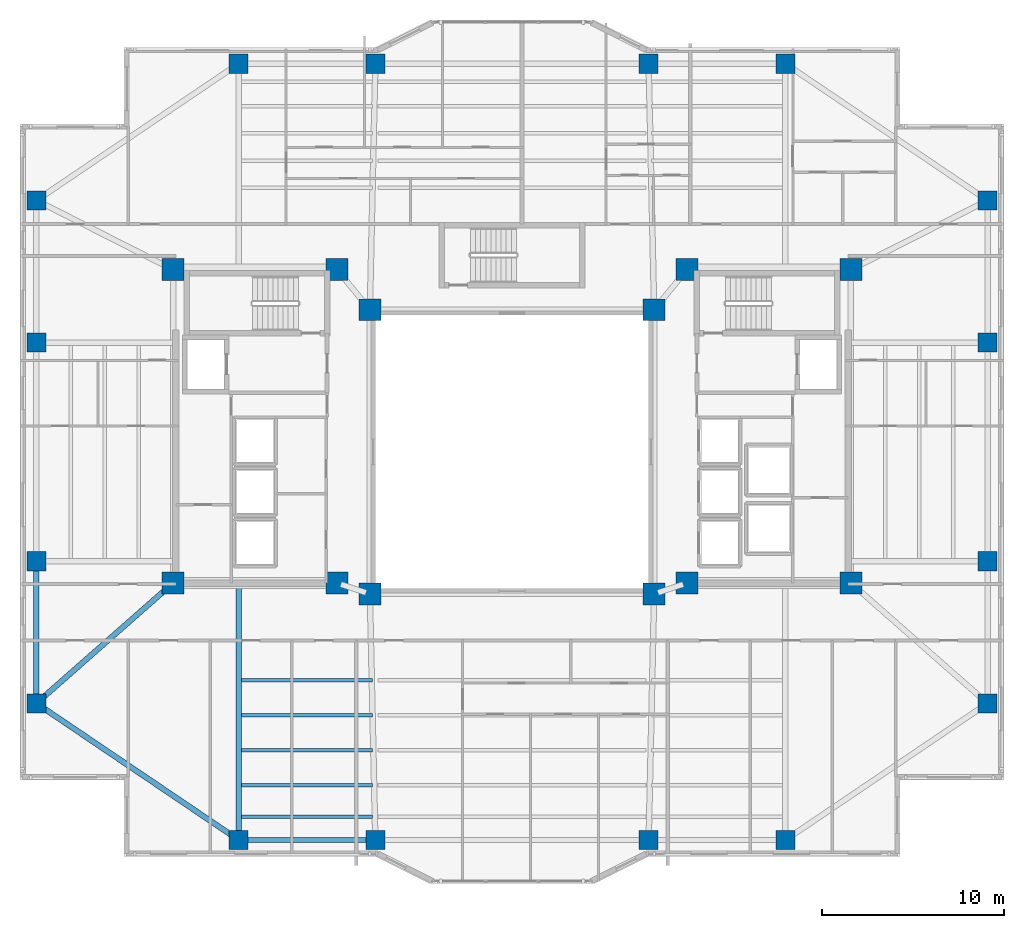
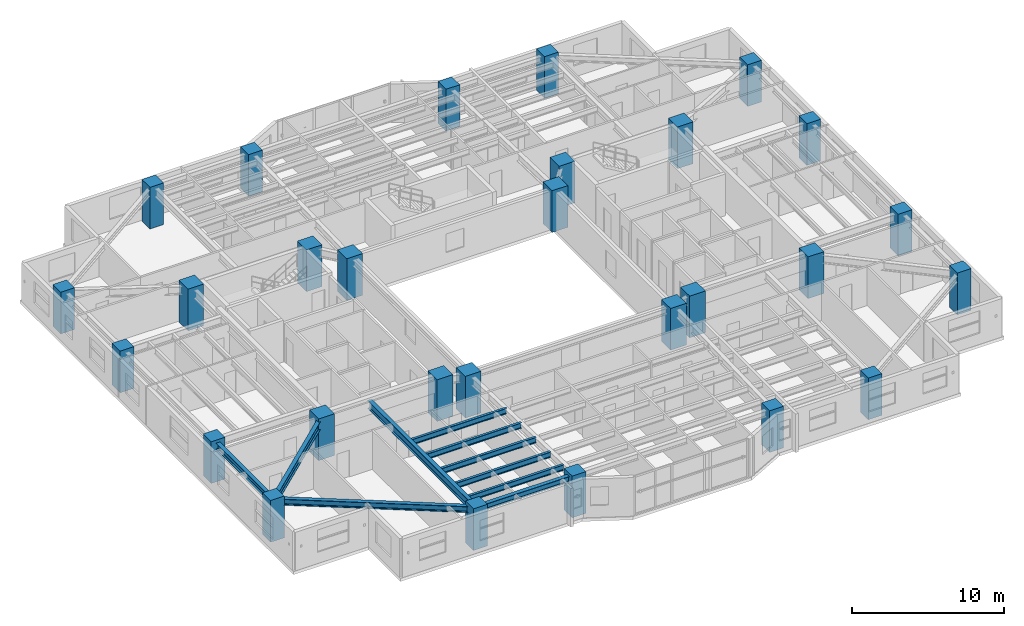
# One storey, part 1 of 18: 28 columns, 10 beams.
"""IFC4 building model written with IfcOpenShell, lengths in metres."""

from ifc_helpers import new_model, si_unit, direction, frame, origin, origin_2d, place, context, subcontext, project, spatial, rectangle, i_section, extrude, material, material_profile, profile_set, type_object, element, save


model = new_model("IFC4")

# Units and contexts
model_context = context("Model", 3, precision=1e-05, world=origin(), true_north=direction((0.0, 1.0)))
body_context = subcontext(model_context, "Body", "Model", "MODEL_VIEW")
ifc_project = project(units=[si_unit("LENGTHUNIT", "METRE"), si_unit("AREAUNIT", "SQUARE_METRE"), si_unit("VOLUMEUNIT", "CUBIC_METRE"), si_unit("PLANEANGLEUNIT", "RADIAN"), si_unit("MASSUNIT", "GRAM", prefix="KILO")], contexts=[model_context])

# Site, building, storey
site_placement = place(None, origin())
site = spatial("IfcSite", under=ifc_project, at=site_placement, CompositionType="ELEMENT")
building_placement = place(site_placement, origin())
building = spatial("IfcBuilding", under=site, at=building_placement, Name="Tarnavaz Court Tower", CompositionType="ELEMENT")
storey_placement = place(building_placement, frame((0.0, 0.0, 91.699951171875)))
storey = spatial("IfcBuildingStorey", under=building, at=storey_placement, Name="L24", CompositionType="ELEMENT", Elevation=91.699951171875)

# Columns
ifc_material_1 = material(Name="Concrete C60/75", Category="concrete")
ifc_material_profile_1 = material_profile(ifc_material_1, rectangle(XDim=1.050048828125, YDim=1.050048828125, at=origin_2d()), Name="RC 1050X1050")
ifc_profile_set_1 = profile_set([ifc_material_profile_1], Name="Concrete C60/75")
column_type_1 = type_object("IfcColumnType", Name="CL-RC1050", PredefinedType="COLUMN", material=ifc_profile_set_1)
for number, where, z_axis, x_axis, name in (
    (1, (-15.0, 21.300048828125, 0.0), (0.0, 0.0, 1.0), (1.0, 0.0, 0.0), "L24 Column PN-1"),
    (2, (-7.5, 21.300048828125, 0.0), (0.0, 0.0, 1.0), (1.0, 0.0, 0.0), "L24 Column PN-2"),
    (3, (7.5, 21.300048828125, 0.0), (0.0, 0.0, 1.0), (1.0, 0.0, 0.0), "L24 Column PN-3"),
    (4, (15.0, 21.300048828125, 0.0), (0.0, 0.0, 1.0), (1.0, 0.0, 0.0), "L24 Column PN-4"),
    (5, (-15.0, -21.300048828125, 0.0), (0.0, 0.0, 1.0), (1.0, 0.0, 0.0), "L24 Column PS-1"),
    (6, (-7.5, -21.300048828125, 0.0), (0.0, 0.0, 1.0), (1.0, 0.0, 0.0), "L24 Column PS-2"),
    (7, (7.5, -21.300048828125, 0.0), (0.0, 0.0, 1.0), (1.0, 0.0, 0.0), "L24 Column PS-3"),
    (8, (15.0, -21.300048828125, 0.0), (0.0, 0.0, 1.0), (1.0, 0.0, 0.0), "L24 Column PS-4"),
    (9, (26.10009765625, -13.800048828125, 0.0), (0.0, 0.0, 1.0), (1.0, 0.0, 0.0), "L24 Column PE-1"),
    (10, (26.10009765625, -6.0, 0.0), (0.0, 0.0, 1.0), (1.0, 0.0, 0.0), "L24 Column PE-2"),
    (11, (26.10009765625, 6.0, 0.0), (0.0, 0.0, 1.0), (1.0, 0.0, 0.0), "L24 Column PE-3"),
    (12, (26.10009765625, 13.800048828125, 0.0), (0.0, 0.0, 1.0), (1.0, 0.0, 0.0), "L24 Column PE-4"),
    (13, (-26.10009765625, -13.800048828125, 0.0), (0.0, 0.0, 1.0), (1.0, 0.0, 0.0), "L24 Column PW-1"),
    (14, (-26.10009765625, -6.0, 0.0), (0.0, 0.0, 1.0), (1.0, 0.0, 0.0), "L24 Column PW-2"),
    (15, (-26.10009765625, 6.0, 0.0), (0.0, 0.0, 1.0), (1.0, 0.0, 0.0), "L24 Column PW-3"),
    (16, (-26.10009765625, 13.800048828125, 0.0), (0.0, 0.0, 1.0), (1.0, 0.0, 0.0), "L24 Column PW-4"),
):
    element("IfcColumn", number, at=place(storey_placement, frame(where, z_axis=z_axis, x_axis=x_axis)), inside=storey, type_object=column_type_1, Name=name, PredefinedType="COLUMN", context=body_context, shape_type="SweptSolid", body=[
        extrude(rectangle(XDim=1.050048828125, YDim=1.050048828125, at=origin_2d()), origin(), (0.0, 0.0, 1.0), 3.35009765625),
    ])
ifc_material_profile_2 = material_profile(ifc_material_1, rectangle(XDim=1.199951171875, YDim=1.199951171875, at=origin_2d()), Name="RC 1200X1200")
ifc_profile_set_2 = profile_set([ifc_material_profile_2], Name="Concrete C60/75")
column_type_2 = type_object("IfcColumnType", Name="CL-RC1200", PredefinedType="COLUMN", material=ifc_profile_set_2)
for number, where, z_axis, x_axis, name in (
    (17, (-7.800048828125, -7.800048828125, 0.0), (0.0, 0.0, 1.0), (1.0, 0.0, 0.0), "L24 Column IW-SW"),
    (18, (7.800048828125, -7.800048828125, 0.0), (0.0, 0.0, 1.0), (1.0, 0.0, 0.0), "L24 Column IW-SE"),
    (19, (-7.800048828125, 7.800048828125, 0.0), (0.0, 0.0, 1.0), (1.0, 0.0, 0.0), "L24 Column IW-NW"),
    (20, (7.800048828125, 7.800048828125, 0.0), (0.0, 0.0, 1.0), (1.0, 0.0, 0.0), "L24 Column IW-NE"),
    (21, (-9.60009765625, -7.199951171875, 0.0), (0.0, 0.0, 1.0), (1.0, 0.0, 0.0), "L24 Column CW-SI"),
    (22, (-9.60009765625, 10.0, 0.0), (0.0, 0.0, 1.0), (1.0, 0.0, 0.0), "L24 Column CW-NI"),
    (23, (9.60009765625, -7.199951171875, 0.0), (0.0, 0.0, 1.0), (1.0, 0.0, 0.0), "L24 Column CE-SI"),
    (24, (9.60009765625, 10.0, 0.0), (0.0, 0.0, 1.0), (1.0, 0.0, 0.0), "L24 Column CE-NI"),
    (25, (-18.60009765625, -7.199951171875, 0.0), (0.0, 0.0, 1.0), (1.0, 0.0, 0.0), "L24 Column CW-SO"),
    (26, (-18.60009765625, 10.0, 0.0), (0.0, 0.0, 1.0), (1.0, 0.0, 0.0), "L24 Column CW-NO"),
    (27, (18.60009765625, -7.199951171875, 0.0), (0.0, 0.0, 1.0), (1.0, 0.0, 0.0), "L24 Column CE-SO"),
    (28, (18.60009765625, 10.0, 0.0), (0.0, 0.0, 1.0), (1.0, 0.0, 0.0), "L24 Column CE-NO"),
):
    element("IfcColumn", number, at=place(storey_placement, frame(where, z_axis=z_axis, x_axis=x_axis)), inside=storey, type_object=column_type_2, Name=name, PredefinedType="COLUMN", context=body_context, shape_type="SweptSolid", body=[
        extrude(rectangle(XDim=1.199951171875, YDim=1.199951171875, at=origin_2d()), origin(), (0.0, 0.0, 1.0), 3.35009765625),
    ])

# Beams
ifc_material_2 = material(Name="Steel S355", Category="steel")
ifc_material_profile_3 = material_profile(ifc_material_2, i_section(OverallWidth=0.300048828125, OverallDepth=0.64990234375, WebThickness=0.01611328125, FlangeThickness=0.031005859375, FilletRadius=0.027099609375, at=origin_2d()), Name="HEB 650")
ifc_profile_set_3 = profile_set([ifc_material_profile_3], Name="Steel S355")
beam_type_1 = type_object("IfcBeamType", Name="BM-G-HEB650", PredefinedType="USERDEFINED", material=ifc_profile_set_3)
beam_1_placement = place(storey_placement, frame((-15.0, -7.239990234375, 2.775146484375), z_axis=(0.0, -1.0, 0.0), x_axis=(1.0, 0.0, 0.0)))
element("IfcBeam", 29, at=beam_1_placement, inside=storey, type_object=beam_type_1, Name="L24 Beam RG-05", ObjectType="GIRDER", PredefinedType="USERDEFINED", context=body_context, shape_type="SweptSolid", body=[
    extrude(i_section(OverallWidth=0.300048828125, OverallDepth=0.64990234375, WebThickness=0.01611328125, FlangeThickness=0.031005859375, FilletRadius=0.027099609375, at=origin_2d()), origin(), (0.0, 0.0, 1.0), 13.840087890625),
])
beam_2_placement = place(storey_placement, frame((-18.76513671875, -7.34521484375, 2.775146484375), z_axis=(-0.750700332035, -0.660642877417, 0.0), x_axis=(0.660642877417, -0.750700332035, 0.0)))
element("IfcBeam", 30, at=beam_2_placement, inside=storey, type_object=beam_type_1, Name="L24 Beam RG-15", ObjectType="GIRDER", PredefinedType="USERDEFINED", context=body_context, shape_type="SweptSolid", body=[
    extrude(i_section(OverallWidth=0.300048828125, OverallDepth=0.64990234375, WebThickness=0.01611328125, FlangeThickness=0.031005859375, FilletRadius=0.027099609375, at=origin_2d()), origin(), (0.0, 0.0, 1.0), 9.550537109375),
])
ifc_material_profile_4 = material_profile(ifc_material_2, i_section(OverallWidth=0.18994140625, OverallDepth=0.449951171875, WebThickness=0.009521484375, FlangeThickness=0.0146484375, FilletRadius=0.02099609375, at=origin_2d()), Name="IPE 450")
ifc_profile_set_4 = profile_set([ifc_material_profile_4], Name="Steel S355")
beam_type_2 = type_object("IfcBeamType", Name="BM-J-IPE450", PredefinedType="JOIST", material=ifc_profile_set_4)
for number, where, z_axis, x_axis, name in (
    (31, (-14.85009765625, -12.52587890625, 2.875), (1.0, 0.0, 0.0), (0.0, 1.0, 0.0), "L24 Beam JS1-1"),
    (32, (-14.85009765625, -14.451904296875, 2.875), (1.0, 0.0, 0.0), (0.0, 1.0, 0.0), "L24 Beam JS2-1"),
    (33, (-14.85009765625, -16.3779296875, 2.875), (1.0, 0.0, 0.0), (0.0, 1.0, 0.0), "L24 Beam JS3-1"),
    (34, (-14.85009765625, -18.303955078125, 2.875), (1.0, 0.0, 0.0), (0.0, 1.0, 0.0), "L24 Beam JS4-1"),
    (35, (-14.85009765625, -20.01611328125, 2.875), (1.0, 0.0, 0.0), (0.0, 1.0, 0.0), "L24 Beam JS5-1"),
):
    element("IfcBeam", number, at=place(storey_placement, frame(where, z_axis=z_axis, x_axis=x_axis)), inside=storey, type_object=beam_type_2, Name=name, PredefinedType="JOIST", context=body_context, shape_type="SweptSolid", body=[
        extrude(i_section(OverallWidth=0.18994140625, OverallDepth=0.449951171875, WebThickness=0.009521484375, FlangeThickness=0.0146484375, FilletRadius=0.02099609375, at=origin_2d()), origin(), (0.0, 0.0, 1.0), 7.2001953125),
    ])
ifc_material_profile_5 = material_profile(ifc_material_2, i_section(OverallWidth=0.300048828125, OverallDepth=0.489990234375, WebThickness=0.011962890625, FlangeThickness=0.02294921875, FilletRadius=0.027099609375, at=origin_2d()), Name="HEA 500")
ifc_profile_set_5 = profile_set([ifc_material_profile_5], Name="Steel S355")
beam_type_3 = type_object("IfcBeamType", Name="BM-SP-HEA500", PredefinedType="SPANDREL", material=ifc_profile_set_5)
beam_3_placement = place(storey_placement, frame((-14.780029296875, -21.300048828125, 2.85498046875), z_axis=(1.0, 0.0, 0.0), x_axis=(0.0, 1.0, 0.0)))
element("IfcBeam", 36, at=beam_3_placement, inside=storey, type_object=beam_type_3, Name="L24 Beam PR-PS-1-PS-2", PredefinedType="SPANDREL", context=body_context, shape_type="SweptSolid", body=[
    extrude(i_section(OverallWidth=0.300048828125, OverallDepth=0.489990234375, WebThickness=0.011962890625, FlangeThickness=0.02294921875, FilletRadius=0.027099609375, at=origin_2d()), origin(), (0.0, 0.0, 1.0), 7.06005859375),
])
beam_4_placement = place(storey_placement, frame((-26.10009765625, -13.580078125, 2.85498046875), z_axis=(0.0, 1.0, 0.0), x_axis=(-1.0, 0.0, 0.0)))
element("IfcBeam", 37, at=beam_4_placement, inside=storey, type_object=beam_type_3, Name="L24 Beam PR-PW-1-PW-2", PredefinedType="SPANDREL", context=body_context, shape_type="SweptSolid", body=[
    extrude(i_section(OverallWidth=0.300048828125, OverallDepth=0.489990234375, WebThickness=0.011962890625, FlangeThickness=0.02294921875, FilletRadius=0.027099609375, at=origin_2d()), origin(), (0.0, 0.0, 1.0), 7.360107421875),
])
beam_5_placement = place(storey_placement, frame((-15.182373046875, -21.1767578125, 2.85498046875), z_axis=(-0.828587314918, 0.559859858854, 0.0), x_axis=(-0.559859858854, -0.828587314918, 0.0)))
element("IfcBeam", 38, at=beam_5_placement, inside=storey, type_object=beam_type_3, Name="L24 Beam PR-PS-1-PW-1", PredefinedType="SPANDREL", context=body_context, shape_type="SweptSolid", body=[
    extrude(i_section(OverallWidth=0.300048828125, OverallDepth=0.489990234375, WebThickness=0.011962890625, FlangeThickness=0.02294921875, FilletRadius=0.027099609375, at=origin_2d()), origin(), (0.0, 0.0, 1.0), 12.956298828125),
])

save(model, "model.ifc")
